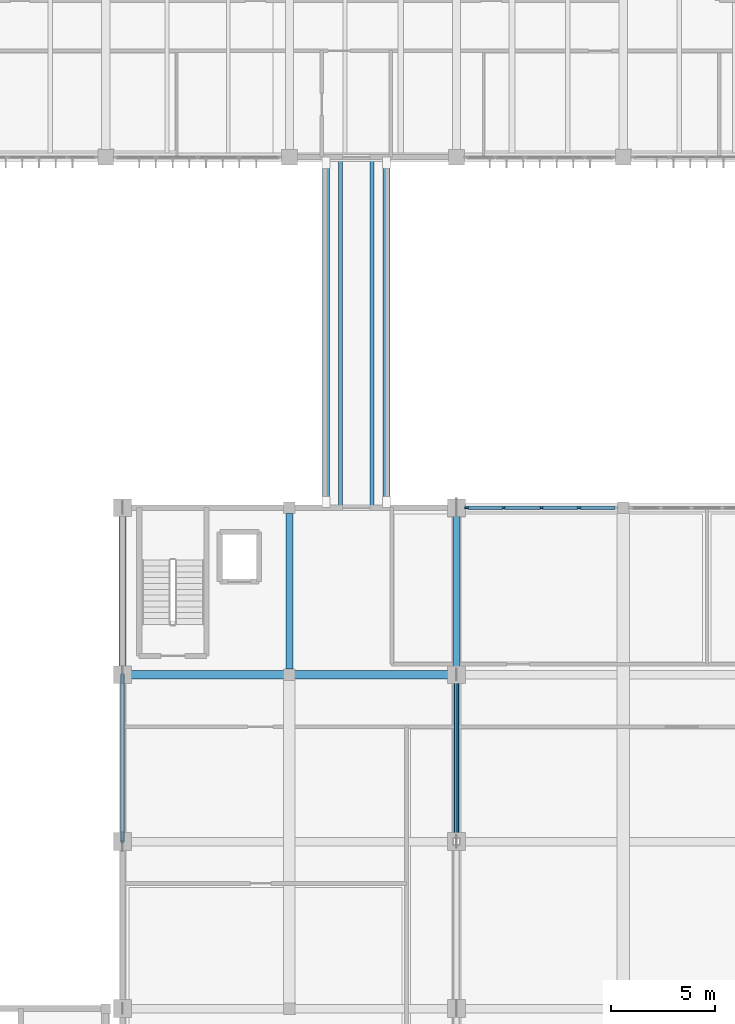
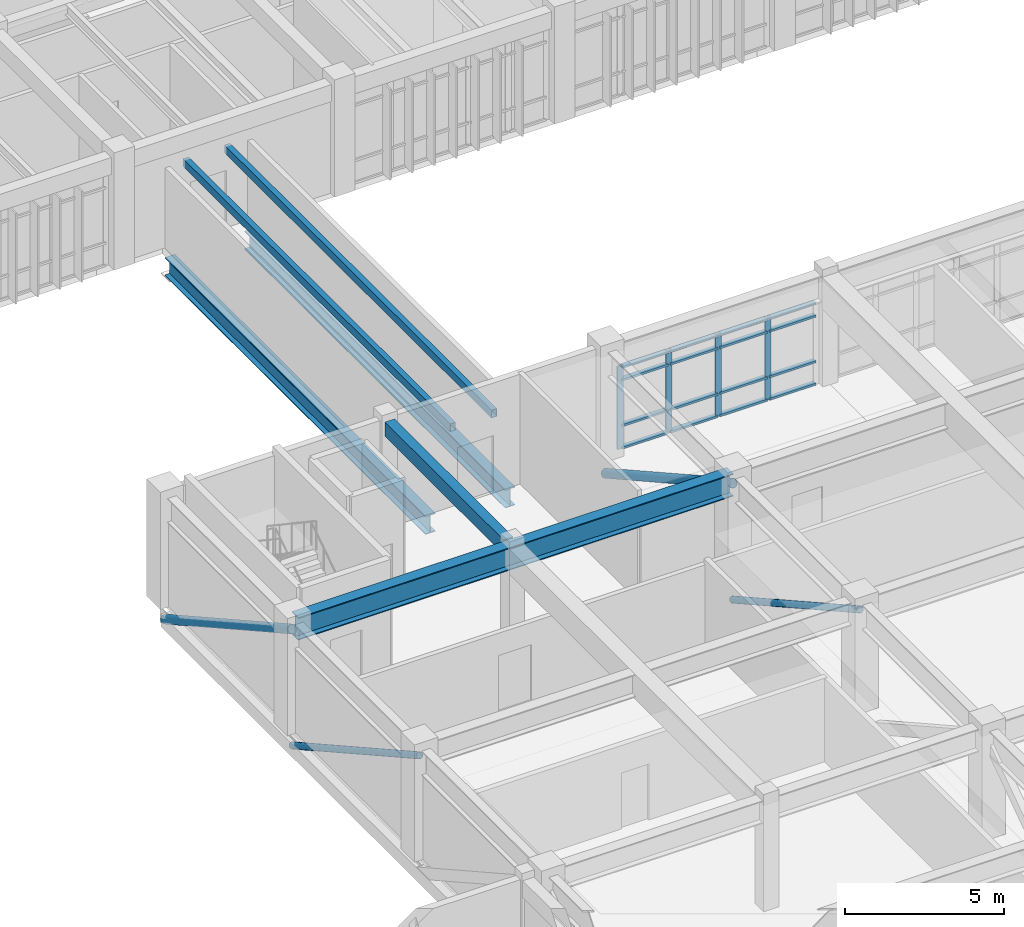
# One storey, part 10 of 79: 24 members, 6 beams, 1 element without a shape of its own.
"""IFC4 building model written with IfcOpenShell, lengths in metres."""

from ifc_helpers import new_model, si_unit, direction, frame, origin, origin_2d, place, context, subcontext, project, spatial, rectangle, hollow_rectangle, hollow_circle, i_section, extrude, material, material_profile, profile_set, type_object, element, aggregate, save


model = new_model("IFC4")

# Units and contexts
model_context = context("Model", 3, precision=1e-05, world=origin(), true_north=direction((0.0, 1.0)))
body_context = subcontext(model_context, "Body", "Model", "MODEL_VIEW")
ifc_project = project(units=[si_unit("LENGTHUNIT", "METRE"), si_unit("AREAUNIT", "SQUARE_METRE"), si_unit("VOLUMEUNIT", "CUBIC_METRE"), si_unit("PLANEANGLEUNIT", "RADIAN"), si_unit("MASSUNIT", "GRAM", prefix="KILO")], contexts=[model_context])

# Site, building, storey
site_placement = place(None, origin())
site = spatial("IfcSite", under=ifc_project, at=site_placement, CompositionType="ELEMENT")
building_placement = place(site_placement, origin())
building = spatial("IfcBuilding", under=site, at=building_placement, Name="Tlaxcora Railside Police Headquarters", CompositionType="ELEMENT")
storey_placement = place(building_placement, frame((0.0, 0.0, 9.0)))
storey = spatial("IfcBuildingStorey", under=building, at=storey_placement, Name="L02", CompositionType="ELEMENT", Elevation=9.0)

# Curtain wall, members
ifc_material_1 = material(Name="Thermally broken low-E insulated glazing", Category="glass")
curtain_wall_type = type_object("IfcCurtainWallType", Name="Unitised Curtain Wall Assembly CW-83", PredefinedType="NOTDEFINED", material=ifc_material_1)
curtain_wall_placement = place(storey_placement, origin())
curtain_wall = element("IfcCurtainWall", 1, at=curtain_wall_placement, inside=storey, type_object=curtain_wall_type, Name="V2 L02 curtain wall 15", PredefinedType="NOTDEFINED")
ifc_material_2 = material(Name="Anodised aluminium framing", Category="aluminium")
ifc_material_profile_1 = material_profile(ifc_material_2, rectangle(XDim=0.080078125, YDim=0.2099609375, at=origin_2d()), Name="AL80X210")
ifc_profile_set_1 = profile_set([ifc_material_profile_1], Name="Anodised aluminium framing")
member_type_1 = type_object("IfcMemberType", Name="Curtain Wall Mullion CW-76", PredefinedType="MULLION", material=ifc_profile_set_1)
member_1_placement = place(storey_placement, frame((67.875, 60.0, 0.0), z_axis=(0.0, 0.0, 1.0), x_axis=(0.0, -1.0, 0.0)))
member_1 = element("IfcMember", 2, at=member_1_placement, type_object=member_type_1, Name="CW mullion 2", PredefinedType="MULLION", context=body_context, shape_type="SweptSolid", body=[
    extrude(rectangle(XDim=0.080078125, YDim=0.2099609375, at=origin_2d()), origin(), (0.0, 0.0, 1.0), 3.179931640625),
])
member_2_placement = place(storey_placement, frame((66.074951171875, 60.0, 0.0), z_axis=(0.0, 0.0, 1.0), x_axis=(0.0, -1.0, 0.0)))
member_2 = element("IfcMember", 3, at=member_2_placement, type_object=member_type_1, Name="CW mullion 3", PredefinedType="MULLION", context=body_context, shape_type="SweptSolid", body=[
    extrude(rectangle(XDim=0.080078125, YDim=0.2099609375, at=origin_2d()), origin(), (0.0, 0.0, 1.0), 3.179931640625),
])
member_3_placement = place(storey_placement, frame((64.27490234375, 60.0, 0.0), z_axis=(0.0, 0.0, 1.0), x_axis=(0.0, -1.0, 0.0)))
member_3 = element("IfcMember", 4, at=member_3_placement, type_object=member_type_1, Name="CW mullion 4", PredefinedType="MULLION", context=body_context, shape_type="SweptSolid", body=[
    extrude(rectangle(XDim=0.080078125, YDim=0.2099609375, at=origin_2d()), origin(), (0.0, 0.0, 1.0), 3.179931640625),
])
member_4_placement = place(storey_placement, frame((62.514892578125, 60.0, 0.0), z_axis=(0.0, 0.0, 1.0), x_axis=(0.0, -1.0, 0.0)))
member_4 = element("IfcMember", 5, at=member_4_placement, type_object=member_type_1, Name="CW mullion 5", PredefinedType="MULLION", context=body_context, shape_type="SweptSolid", body=[
    extrude(rectangle(XDim=0.080078125, YDim=0.2099609375, at=origin_2d()), origin(), (0.0, 0.0, 1.0), 3.179931640625),
])
ifc_material_profile_2 = material_profile(ifc_material_2, rectangle(XDim=0.159912109375, YDim=0.080078125, at=origin_2d()), Name="AL80X160")
ifc_profile_set_2 = profile_set([ifc_material_profile_2], Name="Anodised aluminium framing")
member_type_2 = type_object("IfcMemberType", Name="Curtain Wall Transom CW-82", PredefinedType="USERDEFINED", material=ifc_profile_set_2)
member_5_placement = place(storey_placement, frame((69.594970703125, 60.0, 0.0400390625), z_axis=(-1.0, 0.0, 0.0), x_axis=(0.0, -1.0, 0.0)))
member_5 = element("IfcMember", 6, at=member_5_placement, type_object=member_type_2, Name="CW transom 1.1", ObjectType="TRANSOM", PredefinedType="USERDEFINED", context=body_context, shape_type="SweptSolid", body=[
    extrude(rectangle(XDim=0.159912109375, YDim=0.080078125, at=origin_2d()), origin(), (0.0, 0.0, 1.0), 1.679931640625),
])
member_6_placement = place(storey_placement, frame((69.594970703125, 60.0, 0.89990234375), z_axis=(-1.0, 0.0, 0.0), x_axis=(0.0, -1.0, 0.0)))
member_6 = element("IfcMember", 7, at=member_6_placement, type_object=member_type_2, Name="CW transom 1.2", ObjectType="TRANSOM", PredefinedType="USERDEFINED", context=body_context, shape_type="SweptSolid", body=[
    extrude(rectangle(XDim=0.159912109375, YDim=0.080078125, at=origin_2d()), origin(), (0.0, 0.0, 1.0), 1.679931640625),
])
member_7_placement = place(storey_placement, frame((69.594970703125, 60.0, 2.64990234375), z_axis=(-1.0, 0.0, 0.0), x_axis=(0.0, -1.0, 0.0)))
member_7 = element("IfcMember", 8, at=member_7_placement, type_object=member_type_2, Name="CW transom 1.3", ObjectType="TRANSOM", PredefinedType="USERDEFINED", context=body_context, shape_type="SweptSolid", body=[
    extrude(rectangle(XDim=0.159912109375, YDim=0.080078125, at=origin_2d()), origin(), (0.0, 0.0, 1.0), 1.679931640625),
])
member_8_placement = place(storey_placement, frame((69.594970703125, 60.0, 3.139892578125), z_axis=(-1.0, 0.0, 0.0), x_axis=(0.0, -1.0, 0.0)))
member_8 = element("IfcMember", 9, at=member_8_placement, type_object=member_type_2, Name="CW transom 1.4", ObjectType="TRANSOM", PredefinedType="USERDEFINED", context=body_context, shape_type="SweptSolid", body=[
    extrude(rectangle(XDim=0.159912109375, YDim=0.080078125, at=origin_2d()), origin(), (0.0, 0.0, 1.0), 1.679931640625),
])
member_9_placement = place(storey_placement, frame((67.8349609375, 60.0, 0.0400390625), z_axis=(-1.0, 0.0, 0.0), x_axis=(0.0, -1.0, 0.0)))
member_9 = element("IfcMember", 10, at=member_9_placement, type_object=member_type_2, Name="CW transom 2.1", ObjectType="TRANSOM", PredefinedType="USERDEFINED", context=body_context, shape_type="SweptSolid", body=[
    extrude(rectangle(XDim=0.159912109375, YDim=0.080078125, at=origin_2d()), origin(), (0.0, 0.0, 1.0), 1.719970703125),
])
member_10_placement = place(storey_placement, frame((67.8349609375, 60.0, 0.89990234375), z_axis=(-1.0, 0.0, 0.0), x_axis=(0.0, -1.0, 0.0)))
member_10 = element("IfcMember", 11, at=member_10_placement, type_object=member_type_2, Name="CW transom 2.2", ObjectType="TRANSOM", PredefinedType="USERDEFINED", context=body_context, shape_type="SweptSolid", body=[
    extrude(rectangle(XDim=0.159912109375, YDim=0.080078125, at=origin_2d()), origin(), (0.0, 0.0, 1.0), 1.719970703125),
])
member_11_placement = place(storey_placement, frame((67.8349609375, 60.0, 2.64990234375), z_axis=(-1.0, 0.0, 0.0), x_axis=(0.0, -1.0, 0.0)))
member_11 = element("IfcMember", 12, at=member_11_placement, type_object=member_type_2, Name="CW transom 2.3", ObjectType="TRANSOM", PredefinedType="USERDEFINED", context=body_context, shape_type="SweptSolid", body=[
    extrude(rectangle(XDim=0.159912109375, YDim=0.080078125, at=origin_2d()), origin(), (0.0, 0.0, 1.0), 1.719970703125),
])
member_12_placement = place(storey_placement, frame((67.8349609375, 60.0, 3.139892578125), z_axis=(-1.0, 0.0, 0.0), x_axis=(0.0, -1.0, 0.0)))
member_12 = element("IfcMember", 13, at=member_12_placement, type_object=member_type_2, Name="CW transom 2.4", ObjectType="TRANSOM", PredefinedType="USERDEFINED", context=body_context, shape_type="SweptSolid", body=[
    extrude(rectangle(XDim=0.159912109375, YDim=0.080078125, at=origin_2d()), origin(), (0.0, 0.0, 1.0), 1.719970703125),
])
member_13_placement = place(storey_placement, frame((66.034912109375, 60.0, 0.0400390625), z_axis=(-1.0, 0.0, 0.0), x_axis=(0.0, -1.0, 0.0)))
member_13 = element("IfcMember", 14, at=member_13_placement, type_object=member_type_2, Name="CW transom 3.1", ObjectType="TRANSOM", PredefinedType="USERDEFINED", context=body_context, shape_type="SweptSolid", body=[
    extrude(rectangle(XDim=0.159912109375, YDim=0.080078125, at=origin_2d()), origin(), (0.0, 0.0, 1.0), 1.719970703125),
])
member_14_placement = place(storey_placement, frame((66.034912109375, 60.0, 0.89990234375), z_axis=(-1.0, 0.0, 0.0), x_axis=(0.0, -1.0, 0.0)))
member_14 = element("IfcMember", 15, at=member_14_placement, type_object=member_type_2, Name="CW transom 3.2", ObjectType="TRANSOM", PredefinedType="USERDEFINED", context=body_context, shape_type="SweptSolid", body=[
    extrude(rectangle(XDim=0.159912109375, YDim=0.080078125, at=origin_2d()), origin(), (0.0, 0.0, 1.0), 1.719970703125),
])
member_15_placement = place(storey_placement, frame((66.034912109375, 60.0, 2.64990234375), z_axis=(-1.0, 0.0, 0.0), x_axis=(0.0, -1.0, 0.0)))
member_15 = element("IfcMember", 16, at=member_15_placement, type_object=member_type_2, Name="CW transom 3.3", ObjectType="TRANSOM", PredefinedType="USERDEFINED", context=body_context, shape_type="SweptSolid", body=[
    extrude(rectangle(XDim=0.159912109375, YDim=0.080078125, at=origin_2d()), origin(), (0.0, 0.0, 1.0), 1.719970703125),
])
member_16_placement = place(storey_placement, frame((66.034912109375, 60.0, 3.139892578125), z_axis=(-1.0, 0.0, 0.0), x_axis=(0.0, -1.0, 0.0)))
member_16 = element("IfcMember", 17, at=member_16_placement, type_object=member_type_2, Name="CW transom 3.4", ObjectType="TRANSOM", PredefinedType="USERDEFINED", context=body_context, shape_type="SweptSolid", body=[
    extrude(rectangle(XDim=0.159912109375, YDim=0.080078125, at=origin_2d()), origin(), (0.0, 0.0, 1.0), 1.719970703125),
])
member_17_placement = place(storey_placement, frame((64.235107421875, 60.0, 0.0400390625), z_axis=(-1.0, 0.0, 0.0), x_axis=(0.0, -1.0, 0.0)))
member_17 = element("IfcMember", 18, at=member_17_placement, type_object=member_type_2, Name="CW transom 4.1", ObjectType="TRANSOM", PredefinedType="USERDEFINED", context=body_context, shape_type="SweptSolid", body=[
    extrude(rectangle(XDim=0.159912109375, YDim=0.080078125, at=origin_2d()), origin(), (0.0, 0.0, 1.0), 1.68017578125),
])
member_18_placement = place(storey_placement, frame((64.235107421875, 60.0, 0.89990234375), z_axis=(-1.0, 0.0, 0.0), x_axis=(0.0, -1.0, 0.0)))
member_18 = element("IfcMember", 19, at=member_18_placement, type_object=member_type_2, Name="CW transom 4.2", ObjectType="TRANSOM", PredefinedType="USERDEFINED", context=body_context, shape_type="SweptSolid", body=[
    extrude(rectangle(XDim=0.159912109375, YDim=0.080078125, at=origin_2d()), origin(), (0.0, 0.0, 1.0), 1.68017578125),
])
member_19_placement = place(storey_placement, frame((64.235107421875, 60.0, 2.64990234375), z_axis=(-1.0, 0.0, 0.0), x_axis=(0.0, -1.0, 0.0)))
member_19 = element("IfcMember", 20, at=member_19_placement, type_object=member_type_2, Name="CW transom 4.3", ObjectType="TRANSOM", PredefinedType="USERDEFINED", context=body_context, shape_type="SweptSolid", body=[
    extrude(rectangle(XDim=0.159912109375, YDim=0.080078125, at=origin_2d()), origin(), (0.0, 0.0, 1.0), 1.68017578125),
])
member_20_placement = place(storey_placement, frame((64.235107421875, 60.0, 3.139892578125), z_axis=(-1.0, 0.0, 0.0), x_axis=(0.0, -1.0, 0.0)))
member_20 = element("IfcMember", 21, at=member_20_placement, type_object=member_type_2, Name="CW transom 4.4", ObjectType="TRANSOM", PredefinedType="USERDEFINED", context=body_context, shape_type="SweptSolid", body=[
    extrude(rectangle(XDim=0.159912109375, YDim=0.080078125, at=origin_2d()), origin(), (0.0, 0.0, 1.0), 1.68017578125),
])
aggregate(curtain_wall, [member_1, member_2, member_3, member_4, member_5, member_6, member_7, member_8, member_9, member_10, member_11, member_12, member_13, member_14, member_15, member_16, member_17, member_18, member_19, member_20])

# Members
ifc_material_3 = material(Name="Steel ASTM A992 Grade 50", Category="steel")
ifc_material_profile_3 = material_profile(ifc_material_3, hollow_circle(Radius=0.162109375, WallThickness=0.013916015625, at=origin_2d()), Name="CHS324X14")
ifc_profile_set_3 = profile_set([ifc_material_profile_3], Name="Steel ASTM A992 Grade 50")
member_type_3 = type_object("IfcMemberType", Name="Diagonal Brace Member MB-47", PredefinedType="BRACE", material=ifc_profile_set_3)
for number, where, z_axis, x_axis, name in (
    (22, (46.0, 60.0, -0.77001953125), (0.0, -0.872972176335, 0.487770006607), (1.0, 0.0, 0.0), "Truss TR-1 L02 web diagonal 1"),
    (23, (62.0, 60.0, -0.77001953125), (0.0, -0.872972176335, 0.487770006607), (1.0, 0.0, 0.0), "Truss TR-2 L02 web diagonal 1"),
):
    element("IfcMember", number, at=place(storey_placement, frame(where, z_axis=z_axis, x_axis=x_axis)), inside=storey, type_object=member_type_3, Name=name, PredefinedType="BRACE", context=body_context, shape_type="SweptSolid", body=[
        extrude(hollow_circle(Radius=0.162109375, WallThickness=0.013916015625, at=origin_2d()), origin(), (0.0, 0.0, 1.0), 9.1640625),
    ])
ifc_material_profile_4 = material_profile(ifc_material_3, hollow_circle(Radius=0.1220703125, WallThickness=0.011962890625, at=origin_2d()), Name="CHS244X12")
ifc_profile_set_4 = profile_set([ifc_material_profile_4], Name="Steel ASTM A992 Grade 50")
member_type_4 = type_object("IfcMemberType", Name="Diagonal Brace Member MB-60", PredefinedType="BRACE", material=ifc_profile_set_4)
for number, where, z_axis, x_axis, name in (
    (24, (46.0, 52.0, -0.77001953125), (0.0, -0.872972176335, 0.487770006607), (1.0, 0.0, 0.0), "Truss TR-1 L02 web diagonal 2"),
    (25, (62.0, 52.0, -0.77001953125), (0.0, -0.872972176335, 0.487770006607), (1.0, 0.0, 0.0), "Truss TR-2 L02 web diagonal 2"),
):
    element("IfcMember", number, at=place(storey_placement, frame(where, z_axis=z_axis, x_axis=x_axis)), inside=storey, type_object=member_type_4, Name=name, PredefinedType="BRACE", context=body_context, shape_type="SweptSolid", body=[
        extrude(hollow_circle(Radius=0.1220703125, WallThickness=0.011962890625, at=origin_2d()), origin(), (0.0, 0.0, 1.0), 9.1640625),
    ])

# Beams
ifc_material_profile_5 = material_profile(ifc_material_3, hollow_rectangle(XDim=0.199951171875, YDim=0.300048828125, WallThickness=0.010009765625, at=origin_2d()), Name="HSS300X200X10")
ifc_profile_set_5 = profile_set([ifc_material_profile_5], Name="Steel ASTM A992 Grade 50")
beam_type_1 = type_object("IfcBeamType", Name="Opening Lintel Beam BM-74", PredefinedType="LINTEL", material=ifc_profile_set_5)
for number, where, z_axis, x_axis, name in (
    (26, (56.449951171875, 60.0, 2.949951171875), (0.0, 1.0, 0.0), (-1.0, 0.0, 0.0), "Link bridge roof girder X=56.45"),
    (27, (57.949951171875, 60.0, 2.949951171875), (0.0, 1.0, 0.0), (-1.0, 0.0, 0.0), "Link bridge roof girder X=57.95"),
):
    element("IfcBeam", number, at=place(storey_placement, frame(where, z_axis=z_axis, x_axis=x_axis)), inside=storey, type_object=beam_type_1, Name=name, PredefinedType="LINTEL", context=body_context, shape_type="SweptSolid", body=[
        extrude(hollow_rectangle(XDim=0.199951171875, YDim=0.300048828125, WallThickness=0.010009765625, at=origin_2d()), origin(), (0.0, 0.0, 1.0), 16.800048828125),
    ])
ifc_material_4 = material(Name="Concrete C40/50", Category="concrete")
ifc_material_profile_6 = material_profile(ifc_material_4, rectangle(XDim=0.35009765625, YDim=0.550048828125, at=origin_2d()), Name="RC350X550")
ifc_profile_set_6 = profile_set([ifc_material_profile_6], Name="Concrete C40/50")
beam_type_2 = type_object("IfcBeamType", Name="Primary Frame Girder BM-39", PredefinedType="BEAM", material=ifc_profile_set_6)
beam_1_placement = place(storey_placement, frame((54.0, 52.264892578125, 3.945068359375), z_axis=(0.0, 1.0, 0.0), x_axis=(-1.0, 0.0, 0.0)))
element("IfcBeam", 28, at=beam_1_placement, inside=storey, type_object=beam_type_2, Name="V2 L02 Y-girder X=54.0", PredefinedType="BEAM", context=body_context, shape_type="SweptSolid", body=[
    extrude(rectangle(XDim=0.35009765625, YDim=0.550048828125, at=origin_2d()), origin(), (0.0, 0.0, 1.0), 7.47021484375),
])
ifc_material_profile_7 = material_profile(ifc_material_3, i_section(OverallWidth=0.403076171875, OverallDepth=0.868896484375, WebThickness=0.02099609375, FlangeThickness=0.03564453125, at=origin_2d()), Name="W33X241")
ifc_profile_set_7 = profile_set([ifc_material_profile_7], Name="Steel ASTM A992 Grade 50")
beam_type_3 = type_object("IfcBeamType", Name="Primary Frame Girder BM-45", PredefinedType="BEAM", material=ifc_profile_set_7)
beam_2_placement = place(storey_placement, frame((46.10009765625, 52.0, 3.785400390625), z_axis=(1.0, 0.0, 0.0), x_axis=(0.0, 1.0, 0.0)))
element("IfcBeam", 29, at=beam_2_placement, inside=storey, type_object=beam_type_3, Name="V2 L03 transverse girder Y=52.0", PredefinedType="BEAM", context=body_context, shape_type="SweptSolid", body=[
    extrude(i_section(OverallWidth=0.403076171875, OverallDepth=0.868896484375, WebThickness=0.02099609375, FlangeThickness=0.03564453125, at=origin_2d()), origin(), (0.0, 0.0, 1.0), 15.7998046875),
])
ifc_material_profile_8 = material_profile(ifc_material_3, i_section(OverallWidth=0.35791015625, OverallDepth=0.7060546875, WebThickness=0.018310546875, FlangeThickness=0.0302734375, at=origin_2d()), Name="W27X178")
ifc_profile_set_8 = profile_set([ifc_material_profile_8], Name="Steel ASTM A992 Grade 50")
beam_type_4 = type_object("IfcBeamType", Name="Primary Frame Girder BM-83", PredefinedType="BEAM", material=ifc_profile_set_8)
for number, where, z_axis, x_axis, name in (
    (30, (55.75, 60.199951171875, -0.64990234375), (0.0, 1.0, 0.0), (-1.0, 0.0, 0.0), "PTFE sliding-bearing bridge girder X=55.75"),
    (31, (58.64990234375, 60.199951171875, -0.64990234375), (0.0, 1.0, 0.0), (-1.0, 0.0, 0.0), "PTFE sliding-bearing bridge girder X=58.65"),
):
    element("IfcBeam", number, at=place(storey_placement, frame(where, z_axis=z_axis, x_axis=x_axis)), inside=storey, type_object=beam_type_4, Name=name, PredefinedType="BEAM", context=body_context, shape_type="SweptSolid", body=[
        extrude(i_section(OverallWidth=0.35791015625, OverallDepth=0.7060546875, WebThickness=0.018310546875, FlangeThickness=0.0302734375, at=origin_2d()), origin(), (0.0, 0.0, 1.0), 16.400146484375),
    ])

save(model, "model.ifc")
